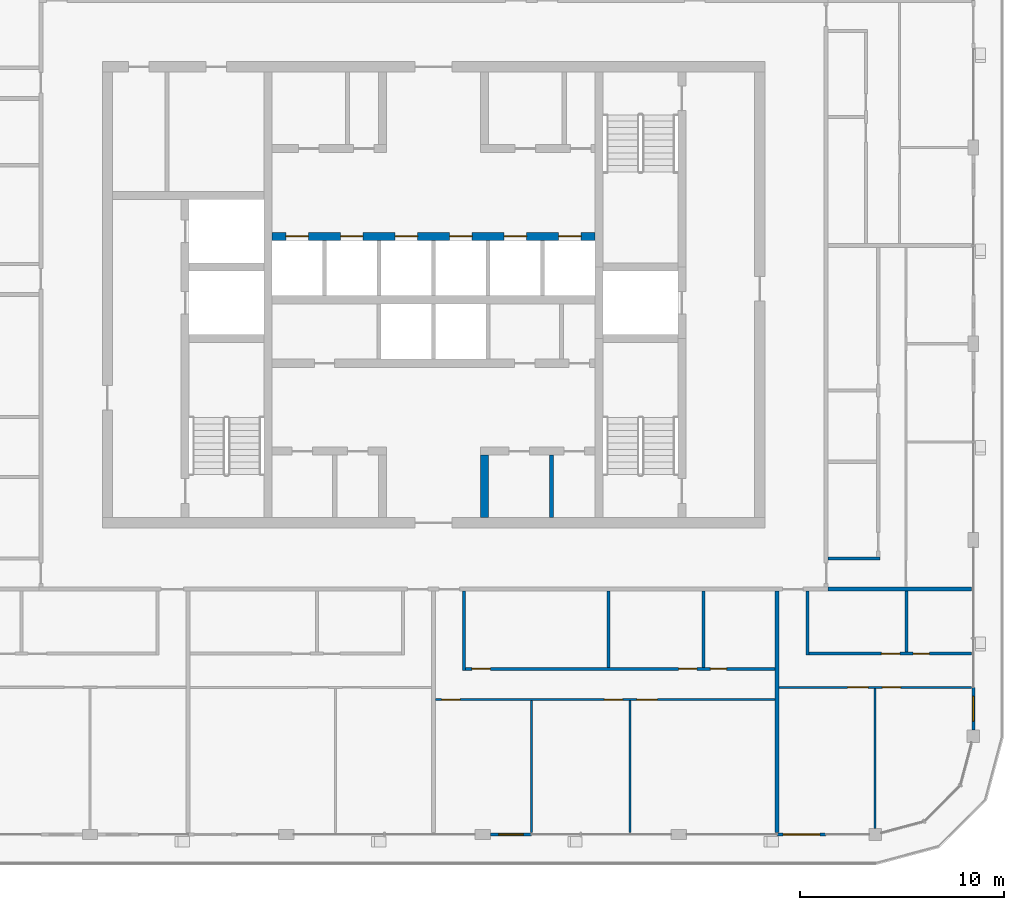
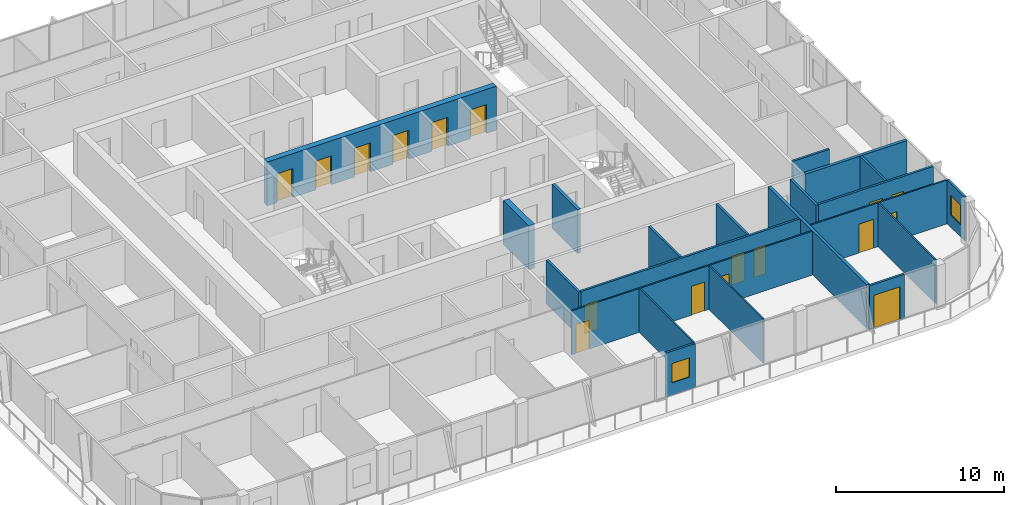
# One storey, part 11 of 21: 21 walls, 17 doors, 2 windows, 19 openings.
"""IFC4 building model written with IfcOpenShell, lengths in metres."""

from ifc_helpers import new_model, si_unit, direction, frame, frame_2d, origin, place, context, subcontext, project, spatial, rectangle, extrude, material, layer, layer_set, type_object, element, fill, save


model = new_model("IFC4")

# Units and contexts
model_context = context("Model", 3, precision=1e-05, world=origin(), true_north=direction((0.0, 1.0)))
body_context = subcontext(model_context, "Body", "Model", "MODEL_VIEW")
ifc_project = project(units=[si_unit("LENGTHUNIT", "METRE"), si_unit("AREAUNIT", "SQUARE_METRE"), si_unit("VOLUMEUNIT", "CUBIC_METRE"), si_unit("PLANEANGLEUNIT", "RADIAN"), si_unit("MASSUNIT", "GRAM", prefix="KILO")], contexts=[model_context])

# Site, building, storey
site_placement = place(None, origin())
site = spatial("IfcSite", under=ifc_project, at=site_placement, CompositionType="ELEMENT")
building_placement = place(site_placement, origin())
building = spatial("IfcBuilding", under=site, at=building_placement, Name="Madar Terraces", CompositionType="ELEMENT")
storey_placement = place(building_placement, frame((0.0, 0.0, 272.10009765625)))
storey = spatial("IfcBuildingStorey", under=building, at=storey_placement, Name="L71", CompositionType="ELEMENT", Elevation=272.10009765625)

# Wall, openings, doors
ifc_material_1 = material(Name="Concrete C50/60", Category="concrete")
ifc_layer_1 = layer(ifc_material_1, 0.39990234375)
ifc_layer_set_1 = layer_set([ifc_layer_1], Name="Concrete C50/60 (CIW6 RC wall 400)")
wall_type_1 = type_object("IfcWallType", Name="CIW6 RC wall 400", PredefinedType="SHEAR", material=ifc_layer_set_1)
wall_1_placement = place(storey_placement, frame((23.300048828125, 29.25, 0.0), z_axis=(0.0, 0.0, 1.0), x_axis=(1.0, 0.0, 0.0)))
wall_1 = element("IfcWall", 1, at=wall_1_placement, inside=storey, type_object=wall_type_1, Name="CORE SHAFT WALL", PredefinedType="SHEAR", context=body_context, shape_type="SweptSolid", body=[
    extrude(rectangle(XDim=15.800048828125, YDim=0.39990234375, at=frame_2d((7.89990234375, 0.0))), origin(), (0.0, 0.0, 1.0), 3.199951171875),
])
opening_1_placement = place(wall_1_placement, frame((0.683349609375, 0.0, 0.0)))
opening_1 = element("IfcOpeningElement", 2, at=opening_1_placement, cuts=wall_1, Name="Opening LD", PredefinedType="OPENING", context=body_context, shape_type="SweptSolid", body=[
    extrude(rectangle(XDim=1.10009765625, YDim=2.10009765625, at=frame_2d((0.550048828125, 1.050048828125))), frame((0.0, 0.2099609375, 0.0), z_axis=(0.0, -1.0, 0.0), x_axis=(1.0, 0.0, 0.0)), (0.0, 0.0, 1.0), 0.419921875),
])
opening_2_placement = place(wall_1_placement, frame((3.35009765625, 0.0, 0.0)))
opening_2 = element("IfcOpeningElement", 3, at=opening_2_placement, cuts=wall_1, Name="Opening LD", PredefinedType="OPENING", context=body_context, shape_type="SweptSolid", body=[
    extrude(rectangle(XDim=1.10009765625, YDim=2.10009765625, at=frame_2d((0.550048828125, 1.050048828125))), frame((0.0, 0.2099609375, 0.0), z_axis=(0.0, -1.0, 0.0), x_axis=(1.0, 0.0, 0.0)), (0.0, 0.0, 1.0), 0.419921875),
])
opening_3_placement = place(wall_1_placement, frame((6.0166015625, 0.0, 0.0)))
opening_3 = element("IfcOpeningElement", 4, at=opening_3_placement, cuts=wall_1, Name="Opening LD", PredefinedType="OPENING", context=body_context, shape_type="SweptSolid", body=[
    extrude(rectangle(XDim=1.10009765625, YDim=2.10009765625, at=frame_2d((0.550048828125, 1.050048828125))), frame((0.0, 0.2099609375, 0.0), z_axis=(0.0, -1.0, 0.0), x_axis=(1.0, 0.0, 0.0)), (0.0, 0.0, 1.0), 0.419921875),
])
opening_4_placement = place(wall_1_placement, frame((8.683349609375, 0.0, 0.0)))
opening_4 = element("IfcOpeningElement", 5, at=opening_4_placement, cuts=wall_1, Name="Opening LD", PredefinedType="OPENING", context=body_context, shape_type="SweptSolid", body=[
    extrude(rectangle(XDim=1.10009765625, YDim=2.10009765625, at=frame_2d((0.550048828125, 1.050048828125))), frame((0.0, 0.2099609375, 0.0), z_axis=(0.0, -1.0, 0.0), x_axis=(1.0, 0.0, 0.0)), (0.0, 0.0, 1.0), 0.419921875),
])
opening_5_placement = place(wall_1_placement, frame((11.35009765625, 0.0, 0.0)))
opening_5 = element("IfcOpeningElement", 6, at=opening_5_placement, cuts=wall_1, Name="Opening LD", PredefinedType="OPENING", context=body_context, shape_type="SweptSolid", body=[
    extrude(rectangle(XDim=1.10009765625, YDim=2.10009765625, at=frame_2d((0.550048828125, 1.050048828125))), frame((0.0, 0.2099609375, 0.0), z_axis=(0.0, -1.0, 0.0), x_axis=(1.0, 0.0, 0.0)), (0.0, 0.0, 1.0), 0.419921875),
])
opening_6_placement = place(wall_1_placement, frame((14.0166015625, 0.0, 0.0)))
opening_6 = element("IfcOpeningElement", 7, at=opening_6_placement, cuts=wall_1, Name="Opening LD", PredefinedType="OPENING", context=body_context, shape_type="SweptSolid", body=[
    extrude(rectangle(XDim=1.10009765625, YDim=2.10009765625, at=frame_2d((0.550048828125, 1.050048828125))), frame((0.0, 0.2099609375, 0.0), z_axis=(0.0, -1.0, 0.0), x_axis=(1.0, 0.0, 0.0)), (0.0, 0.0, 1.0), 0.419921875),
])
ifc_material_2 = material(Name="Stainless steel panel", Category="steel")
door_type_1 = type_object("IfcDoorType", Name="Lift landing door 1100 x 2100", OperationType="DOUBLE_DOOR_SLIDING", PredefinedType="DOOR", material=ifc_material_2)
door_1_placement = place(opening_1_placement, origin())
door_1 = element("IfcDoor", 8, at=door_1_placement, inside=storey, type_object=door_type_1, Name="LIFT LANDING DOOR", OperationType="DOUBLE_DOOR_SLIDING", OverallHeight=2.10009765625, OverallWidth=1.10009765625, PredefinedType="DOOR", context=body_context, shape_type="SweptSolid", body=[
    extrude(rectangle(XDim=1.10009765625, YDim=2.10009765625, at=frame_2d((0.550048828125, 1.050048828125))), frame((0.0, 0.02490234375, 0.0), z_axis=(0.0, -1.0, 0.0), x_axis=(1.0, 0.0, 0.0)), (0.0, 0.0, 1.0), 0.050048828125),
])
fill(opening_1, door_1)
door_2_placement = place(opening_2_placement, origin())
door_2 = element("IfcDoor", 9, at=door_2_placement, inside=storey, type_object=door_type_1, Name="LIFT LANDING DOOR", OperationType="DOUBLE_DOOR_SLIDING", OverallHeight=2.10009765625, OverallWidth=1.10009765625, PredefinedType="DOOR", context=body_context, shape_type="SweptSolid", body=[
    extrude(rectangle(XDim=1.10009765625, YDim=2.10009765625, at=frame_2d((0.550048828125, 1.050048828125))), frame((0.0, 0.02490234375, 0.0), z_axis=(0.0, -1.0, 0.0), x_axis=(1.0, 0.0, 0.0)), (0.0, 0.0, 1.0), 0.050048828125),
])
fill(opening_2, door_2)
door_3_placement = place(opening_3_placement, origin())
door_3 = element("IfcDoor", 10, at=door_3_placement, inside=storey, type_object=door_type_1, Name="LIFT LANDING DOOR", OperationType="DOUBLE_DOOR_SLIDING", OverallHeight=2.10009765625, OverallWidth=1.10009765625, PredefinedType="DOOR", context=body_context, shape_type="SweptSolid", body=[
    extrude(rectangle(XDim=1.10009765625, YDim=2.10009765625, at=frame_2d((0.550048828125, 1.050048828125))), frame((0.0, 0.02490234375, 0.0), z_axis=(0.0, -1.0, 0.0), x_axis=(1.0, 0.0, 0.0)), (0.0, 0.0, 1.0), 0.050048828125),
])
fill(opening_3, door_3)
door_4_placement = place(opening_4_placement, origin())
door_4 = element("IfcDoor", 11, at=door_4_placement, inside=storey, type_object=door_type_1, Name="LIFT LANDING DOOR", OperationType="DOUBLE_DOOR_SLIDING", OverallHeight=2.10009765625, OverallWidth=1.10009765625, PredefinedType="DOOR", context=body_context, shape_type="SweptSolid", body=[
    extrude(rectangle(XDim=1.10009765625, YDim=2.10009765625, at=frame_2d((0.550048828125, 1.050048828125))), frame((0.0, 0.02490234375, 0.0), z_axis=(0.0, -1.0, 0.0), x_axis=(1.0, 0.0, 0.0)), (0.0, 0.0, 1.0), 0.050048828125),
])
fill(opening_4, door_4)
door_5_placement = place(opening_5_placement, origin())
door_5 = element("IfcDoor", 12, at=door_5_placement, inside=storey, type_object=door_type_1, Name="LIFT LANDING DOOR", OperationType="DOUBLE_DOOR_SLIDING", OverallHeight=2.10009765625, OverallWidth=1.10009765625, PredefinedType="DOOR", context=body_context, shape_type="SweptSolid", body=[
    extrude(rectangle(XDim=1.10009765625, YDim=2.10009765625, at=frame_2d((0.550048828125, 1.050048828125))), frame((0.0, 0.02490234375, 0.0), z_axis=(0.0, -1.0, 0.0), x_axis=(1.0, 0.0, 0.0)), (0.0, 0.0, 1.0), 0.050048828125),
])
fill(opening_5, door_5)
door_6_placement = place(opening_6_placement, origin())
door_6 = element("IfcDoor", 13, at=door_6_placement, inside=storey, type_object=door_type_1, Name="LIFT LANDING DOOR", OperationType="DOUBLE_DOOR_SLIDING", OverallHeight=2.10009765625, OverallWidth=1.10009765625, PredefinedType="DOOR", context=body_context, shape_type="SweptSolid", body=[
    extrude(rectangle(XDim=1.10009765625, YDim=2.10009765625, at=frame_2d((0.550048828125, 1.050048828125))), frame((0.0, 0.02490234375, 0.0), z_axis=(0.0, -1.0, 0.0), x_axis=(1.0, 0.0, 0.0)), (0.0, 0.0, 1.0), 0.050048828125),
])
fill(opening_6, door_6)

# Walls
wall_2_placement = place(storey_placement, frame((33.699951171875, 15.5, 0.0), z_axis=(0.0, 0.0, 1.0), x_axis=(0.0, 1.0, 0.0)))
element("IfcWall", 14, at=wall_2_placement, inside=storey, type_object=wall_type_1, Name="CORE SHAFT WALL", PredefinedType="SHEAR", context=body_context, shape_type="SweptSolid", body=[
    extrude(rectangle(XDim=3.050048828125, YDim=0.39990234375, at=frame_2d((1.52490234375, 0.0))), origin(), (0.0, 0.0, 1.0), 3.199951171875),
])
ifc_material_3 = material(Name="Masonry blockwork", Category="masonry")
ifc_layer_2 = layer(ifc_material_3, 0.199951171875)
ifc_layer_set_2 = layer_set([ifc_layer_2], Name="Core partition 200 blockwork")
wall_type_2 = type_object("IfcWallType", Name="Core partition 200 blockwork", PredefinedType="PARTITIONING", material=ifc_layer_set_2)
wall_3_placement = place(storey_placement, frame((36.968017578125, 15.5, 0.0), z_axis=(0.0, 0.0, 1.0), x_axis=(0.0, 1.0, 0.0)))
element("IfcWall", 15, at=wall_3_placement, inside=storey, type_object=wall_type_2, Name="SERVICE ROOM PARTITION", PredefinedType="PARTITIONING", context=body_context, shape_type="SweptSolid", body=[
    extrude(rectangle(XDim=3.050048828125, YDim=0.199951171875, at=frame_2d((1.52490234375, 0.0))), origin(), (0.0, 0.0, 1.0), 3.199951171875),
])

# Wall, opening, window
ifc_material_4 = material(Name="Aluminium composite panel, black, over insulated backing", Category="aluminium")
ifc_layer_3 = layer(ifc_material_4, 0.14990234375)
ifc_layer_set_3 = layer_set([ifc_layer_3], Name="Facade bay panel 150")
wall_type_3 = type_object("IfcWallType", Name="Facade bay panel 150", PredefinedType="SOLIDWALL", material=ifc_layer_set_3)
wall_4_placement = place(storey_placement, frame((33.97509765625, 0.0, 0.0), z_axis=(0.0, 0.0, 1.0), x_axis=(1.0, 0.0, 0.0)))
wall_4 = element("IfcWall", 16, at=wall_4_placement, inside=storey, type_object=wall_type_3, Name="Facade bay panel", PredefinedType="SOLIDWALL", context=body_context, shape_type="SweptSolid", body=[
    extrude(rectangle(XDim=2.02490234375, YDim=0.14990234375, at=frame_2d((1.012451171875, 0.0))), origin(), (0.0, 0.0, 1.0), 3.199951171875),
])
opening_7_placement = place(wall_4_placement, frame((0.41259765625, 0.0, 0.89990234375)))
opening_7 = element("IfcOpeningElement", 17, at=opening_7_placement, cuts=wall_4, Name="Opening W1", PredefinedType="OPENING", context=body_context, shape_type="SweptSolid", body=[
    extrude(rectangle(XDim=1.199951171875, YDim=1.39990234375, at=frame_2d((0.60009765625, 0.699951171875))), frame((0.0, 0.0849609375, 0.0), z_axis=(0.0, -1.0, 0.0), x_axis=(1.0, 0.0, 0.0)), (0.0, 0.0, 1.0), 0.169921875),
])
ifc_material_5 = material(Name="Glass, clear, with black aluminium frame", Category="aluminium")
window_type = type_object("IfcWindowType", Name="Vent window 1200 x 1400", PartitioningType="SINGLE_PANEL", PredefinedType="WINDOW", material=ifc_material_5)
window_1_placement = place(opening_7_placement, origin())
window_1 = element("IfcWindow", 18, at=window_1_placement, inside=storey, type_object=window_type, Name="Operable vent window", OverallHeight=1.39990234375, OverallWidth=1.199951171875, PartitioningType="SINGLE_PANEL", PredefinedType="WINDOW", context=body_context, shape_type="SweptSolid", body=[
    extrude(rectangle(XDim=1.199951171875, YDim=1.39990234375, at=frame_2d((0.60009765625, 0.699951171875))), frame((0.0, 0.030029296875, 0.0), z_axis=(0.0, -1.0, 0.0), x_axis=(1.0, 0.0, 0.0)), (0.0, 0.0, 1.0), 0.06005859375),
])
fill(opening_7, window_1)

# Wall, opening, door
wall_5_placement = place(storey_placement, frame((48.0, 0.0, 0.0), z_axis=(0.0, 0.0, 1.0), x_axis=(1.0, 0.0, 0.0)))
wall_5 = element("IfcWall", 19, at=wall_5_placement, inside=storey, type_object=wall_type_3, Name="Facade bay panel", PredefinedType="SOLIDWALL", context=body_context, shape_type="SweptSolid", body=[
    extrude(rectangle(XDim=2.39990234375, YDim=0.14990234375, at=frame_2d((1.199951171875, 0.0))), origin(), (0.0, 0.0, 1.0), 3.199951171875),
])
opening_8_placement = place(wall_5_placement, frame((0.300048828125, 0.0, 0.0)))
opening_8 = element("IfcOpeningElement", 20, at=opening_8_placement, cuts=wall_5, Name="Opening ED1", PredefinedType="OPENING", context=body_context, shape_type="SweptSolid", body=[
    extrude(rectangle(XDim=1.800048828125, YDim=2.39990234375, at=frame_2d((0.89990234375, 1.199951171875))), frame((0.0, 0.0849609375, 0.0), z_axis=(0.0, -1.0, 0.0), x_axis=(1.0, 0.0, 0.0)), (0.0, 0.0, 1.0), 0.169921875),
])
ifc_material_6 = material(Name="Glass, clear, with black aluminium frame", Category="aluminium")
door_type_2 = type_object("IfcDoorType", Name="Balcony and terrace sliding door 1800 x 2400", OperationType="SLIDING_TO_LEFT", PredefinedType="DOOR", material=ifc_material_6)
door_7_placement = place(opening_8_placement, origin())
door_7 = element("IfcDoor", 21, at=door_7_placement, inside=storey, type_object=door_type_2, Name="Balcony door", OperationType="SLIDING_TO_RIGHT", OverallHeight=2.39990234375, OverallWidth=1.800048828125, PredefinedType="DOOR", context=body_context, shape_type="SweptSolid", body=[
    extrude(rectangle(XDim=1.800048828125, YDim=2.39990234375, at=frame_2d((0.89990234375, 1.199951171875))), frame((0.0, 0.02490234375, 0.0), z_axis=(0.0, -1.0, 0.0), x_axis=(1.0, 0.0, 0.0)), (0.0, 0.0, 1.0), 0.050048828125),
])
fill(opening_8, door_7)

# Wall, opening, window
wall_6_placement = place(storey_placement, frame((57.60009765625, 5.10009765625, 0.0), z_axis=(0.0, 0.0, 1.0), x_axis=(0.0, 1.0, 0.0)))
wall_6 = element("IfcWall", 22, at=wall_6_placement, inside=storey, type_object=wall_type_3, Name="Facade bay panel", PredefinedType="SOLIDWALL", context=body_context, shape_type="SweptSolid", body=[
    extrude(rectangle(XDim=2.099853515625, YDim=0.14990234375, at=frame_2d((1.0498046875, 0.0))), origin(), (0.0, 0.0, 1.0), 3.199951171875),
])
opening_9_placement = place(wall_6_placement, frame((0.449951171875, 0.0, 0.89990234375)))
opening_9 = element("IfcOpeningElement", 23, at=opening_9_placement, cuts=wall_6, Name="Opening W1", PredefinedType="OPENING", context=body_context, shape_type="SweptSolid", body=[
    extrude(rectangle(XDim=1.199951171875, YDim=1.39990234375, at=frame_2d((0.60009765625, 0.699951171875))), frame((0.0, 0.0849609375, 0.0), z_axis=(0.0, -1.0, 0.0), x_axis=(1.0, 0.0, 0.0)), (0.0, 0.0, 1.0), 0.169921875),
])
window_2_placement = place(opening_9_placement, origin())
window_2 = element("IfcWindow", 24, at=window_2_placement, inside=storey, type_object=window_type, Name="Operable vent window", OverallHeight=1.39990234375, OverallWidth=1.199951171875, PartitioningType="SINGLE_PANEL", PredefinedType="WINDOW", context=body_context, shape_type="SweptSolid", body=[
    extrude(rectangle(XDim=1.199951171875, YDim=1.39990234375, at=frame_2d((0.60009765625, 0.699951171875))), frame((0.0, 0.030029296875, 0.0), z_axis=(0.0, -1.0, 0.0), x_axis=(1.0, 0.0, 0.0)), (0.0, 0.0, 1.0), 0.06005859375),
])
fill(opening_9, window_2)

# Walls
ifc_material_7 = material(Name="Gypsum board on steel studs", Category="steel")
ifc_layer_4 = layer(ifc_material_7, 0.10009765625)
ifc_layer_set_4 = layer_set([ifc_layer_4], Name="Flat partition 100")
wall_type_4 = type_object("IfcWallType", Name="Flat partition 100", PredefinedType="PARTITIONING", material=ifc_layer_set_4)
for number, where, z_axis, x_axis, name in (
    (25, (36.0, 6.550048828125, 0.0), (0.0, 0.0, 1.0), (0.0, -1.0, 0.0), "Flat partition 100"),
    (26, (40.800048828125, 6.550048828125, 0.0), (0.0, 0.0, 1.0), (0.0, -1.0, 0.0), "Flat partition 100"),
):
    element("IfcWall", number, at=place(storey_placement, frame(where, z_axis=z_axis, x_axis=x_axis)), inside=storey, type_object=wall_type_4, Name=name, PredefinedType="PARTITIONING", context=body_context, shape_type="SweptSolid", body=[
        extrude(rectangle(XDim=6.449951171875, YDim=0.10009765625, at=frame_2d((3.22509765625, 0.0))), origin(), (0.0, 0.0, 1.0), 3.199951171875),
    ])

# Wall, openings, doors
wall_7_placement = place(storey_placement, frame((47.89990234375, 6.60009765625, 0.0), z_axis=(0.0, 0.0, 1.0), x_axis=(-1.0, 0.0, 0.0)))
wall_7 = element("IfcWall", 27, at=wall_7_placement, inside=storey, type_object=wall_type_4, Name="Flat partition 100", PredefinedType="PARTITIONING", context=body_context, shape_type="SweptSolid", body=[
    extrude(rectangle(XDim=16.599853515625, YDim=0.10009765625, at=frame_2d((8.2998046875, 0.0))), origin(), (0.0, 0.0, 1.0), 3.199951171875),
])
opening_10_placement = place(wall_7_placement, frame((15.39990234375, 0.0, 0.0)))
opening_10 = element("IfcOpeningElement", 28, at=opening_10_placement, cuts=wall_7, Name="Opening D2", PredefinedType="OPENING", context=body_context, shape_type="SweptSolid", body=[
    extrude(rectangle(XDim=0.89990234375, YDim=2.10009765625, at=frame_2d((0.449951171875, 1.050048828125))), frame((0.0, 0.06005859375, 0.0), z_axis=(0.0, -1.0, 0.0), x_axis=(1.0, 0.0, 0.0)), (0.0, 0.0, 1.0), 0.1201171875),
])
opening_11_placement = place(wall_7_placement, frame((7.449951171875, 0.0, 0.0)))
opening_11 = element("IfcOpeningElement", 29, at=opening_11_placement, cuts=wall_7, Name="Opening D2", PredefinedType="OPENING", context=body_context, shape_type="SweptSolid", body=[
    extrude(rectangle(XDim=0.89990234375, YDim=2.10009765625, at=frame_2d((0.449951171875, 1.050048828125))), frame((0.0, 0.06005859375, 0.0), z_axis=(0.0, -1.0, 0.0), x_axis=(1.0, 0.0, 0.0)), (0.0, 0.0, 1.0), 0.1201171875),
])
opening_12_placement = place(wall_7_placement, frame((5.75, 0.0, 0.0)))
opening_12 = element("IfcOpeningElement", 30, at=opening_12_placement, cuts=wall_7, Name="Opening D3", PredefinedType="OPENING", context=body_context, shape_type="SweptSolid", body=[
    extrude(rectangle(XDim=1.0, YDim=2.10009765625, at=frame_2d((0.5, 1.050048828125))), frame((0.0, 0.06005859375, 0.0), z_axis=(0.0, -1.0, 0.0), x_axis=(1.0, 0.0, 0.0)), (0.0, 0.0, 1.0), 0.1201171875),
])
ifc_material_8 = material(Name="Timber door leaf", Category="wood")
door_type_3 = type_object("IfcDoorType", Name="Flat living room door 1000", OperationType="NOTDEFINED", PredefinedType="DOOR", material=ifc_material_8)
door_8_placement = place(opening_12_placement, origin())
door_8 = element("IfcDoor", 31, at=door_8_placement, inside=storey, type_object=door_type_3, Name="Flat living room door 1000", OperationType="SINGLE_SWING_RIGHT", OverallHeight=2.10009765625, OverallWidth=1.0, PredefinedType="DOOR", context=body_context, shape_type="SweptSolid", body=[
    extrude(rectangle(XDim=1.0, YDim=2.10009765625, at=frame_2d((0.5, 1.050048828125))), frame((0.0, 0.02490234375, 0.0), z_axis=(0.0, -1.0, 0.0), x_axis=(1.0, 0.0, 0.0)), (0.0, 0.0, 1.0), 0.050048828125),
])
fill(opening_12, door_8)
ifc_material_9 = material(Name="Timber door leaf", Category="wood")
door_type_4 = type_object("IfcDoorType", Name="Flat room door 900", OperationType="NOTDEFINED", PredefinedType="DOOR", material=ifc_material_9)
door_9_placement = place(opening_10_placement, origin())
door_9 = element("IfcDoor", 32, at=door_9_placement, inside=storey, type_object=door_type_4, Name="Flat room door 900", OperationType="SINGLE_SWING_RIGHT", OverallHeight=2.10009765625, OverallWidth=0.89990234375, PredefinedType="DOOR", context=body_context, shape_type="SweptSolid", body=[
    extrude(rectangle(XDim=0.89990234375, YDim=2.10009765625, at=frame_2d((0.449951171875, 1.050048828125))), frame((0.0, 0.02490234375, 0.0), z_axis=(0.0, -1.0, 0.0), x_axis=(1.0, 0.0, 0.0)), (0.0, 0.0, 1.0), 0.050048828125),
])
fill(opening_10, door_9)
door_10_placement = place(opening_11_placement, origin())
door_10 = element("IfcDoor", 33, at=door_10_placement, inside=storey, type_object=door_type_4, Name="Flat room door 900", OperationType="SINGLE_SWING_LEFT", OverallHeight=2.10009765625, OverallWidth=0.89990234375, PredefinedType="DOOR", context=body_context, shape_type="SweptSolid", body=[
    extrude(rectangle(XDim=0.89990234375, YDim=2.10009765625, at=frame_2d((0.449951171875, 1.050048828125))), frame((0.0, 0.02490234375, 0.0), z_axis=(0.0, -1.0, 0.0), x_axis=(1.0, 0.0, 0.0)), (0.0, 0.0, 1.0), 0.050048828125),
])
fill(opening_11, door_10)

# Wall
wall_8_placement = place(storey_placement, frame((52.800048828125, 7.14990234375, 0.0), z_axis=(0.0, 0.0, 1.0), x_axis=(0.0, -1.0, 0.0)))
element("IfcWall", 34, at=wall_8_placement, inside=storey, type_object=wall_type_4, Name="Flat partition 100", PredefinedType="PARTITIONING", context=body_context, shape_type="SweptSolid", body=[
    extrude(rectangle(XDim=6.849853515625, YDim=0.10009765625, at=frame_2d((3.4248046875, 0.0))), origin(), (0.0, 0.0, 1.0), 3.199951171875),
])

# Wall, openings, doors
wall_9_placement = place(storey_placement, frame((57.5, 7.199951171875, 0.0), z_axis=(0.0, 0.0, 1.0), x_axis=(-1.0, 0.0, 0.0)))
wall_9 = element("IfcWall", 35, at=wall_9_placement, inside=storey, type_object=wall_type_4, Name="Flat partition 100", PredefinedType="PARTITIONING", context=body_context, shape_type="SweptSolid", body=[
    extrude(rectangle(XDim=9.39990234375, YDim=0.10009765625, at=frame_2d((4.699951171875, 0.0))), origin(), (0.0, 0.0, 1.0), 3.199951171875),
])
opening_13_placement = place(wall_9_placement, frame((5.050048828125, 0.0, 0.0)))
opening_13 = element("IfcOpeningElement", 36, at=opening_13_placement, cuts=wall_9, Name="Opening D3", PredefinedType="OPENING", context=body_context, shape_type="SweptSolid", body=[
    extrude(rectangle(XDim=1.0, YDim=2.10009765625, at=frame_2d((0.5, 1.050048828125))), frame((0.0, 0.06005859375, 0.0), z_axis=(0.0, -1.0, 0.0), x_axis=(1.0, 0.0, 0.0)), (0.0, 0.0, 1.0), 0.1201171875),
])
opening_14_placement = place(wall_9_placement, frame((3.449951171875, 0.0, 0.0)))
opening_14 = element("IfcOpeningElement", 37, at=opening_14_placement, cuts=wall_9, Name="Opening D2", PredefinedType="OPENING", context=body_context, shape_type="SweptSolid", body=[
    extrude(rectangle(XDim=0.89990234375, YDim=2.10009765625, at=frame_2d((0.449951171875, 1.050048828125))), frame((0.0, 0.06005859375, 0.0), z_axis=(0.0, -1.0, 0.0), x_axis=(1.0, 0.0, 0.0)), (0.0, 0.0, 1.0), 0.1201171875),
])
door_11_placement = place(opening_13_placement, origin())
door_11 = element("IfcDoor", 38, at=door_11_placement, inside=storey, type_object=door_type_3, Name="Flat living room door 1000", OperationType="SINGLE_SWING_LEFT", OverallHeight=2.10009765625, OverallWidth=1.0, PredefinedType="DOOR", context=body_context, shape_type="SweptSolid", body=[
    extrude(rectangle(XDim=1.0, YDim=2.10009765625, at=frame_2d((0.5, 1.050048828125))), frame((0.0, 0.02490234375, 0.0), z_axis=(0.0, -1.0, 0.0), x_axis=(1.0, 0.0, 0.0)), (0.0, 0.0, 1.0), 0.050048828125),
])
fill(opening_13, door_11)
door_12_placement = place(opening_14_placement, origin())
door_12 = element("IfcDoor", 39, at=door_12_placement, inside=storey, type_object=door_type_4, Name="Flat room door 900", OperationType="SINGLE_SWING_RIGHT", OverallHeight=2.10009765625, OverallWidth=0.89990234375, PredefinedType="DOOR", context=body_context, shape_type="SweptSolid", body=[
    extrude(rectangle(XDim=0.89990234375, YDim=2.10009765625, at=frame_2d((0.449951171875, 1.050048828125))), frame((0.0, 0.02490234375, 0.0), z_axis=(0.0, -1.0, 0.0), x_axis=(1.0, 0.0, 0.0)), (0.0, 0.0, 1.0), 0.050048828125),
])
fill(opening_14, door_12)

# Walls
ifc_material_10 = material(Name="Lightweight blockwork", Category="masonry")
ifc_layer_5 = layer(ifc_material_10, 0.199951171875)
ifc_layer_set_5 = layer_set([ifc_layer_5], Name="Flat party and entrance wall 200")
wall_type_5 = type_object("IfcWallType", Name="Flat party and entrance wall 200", PredefinedType="PARTITIONING", material=ifc_layer_set_5)
wall_10_placement = place(storey_placement, frame((48.0, 11.89990234375, 0.0), z_axis=(0.0, 0.0, 1.0), x_axis=(0.0, -1.0, 0.0)))
element("IfcWall", 40, at=wall_10_placement, inside=storey, type_object=wall_type_5, Name="Flat party and entrance wall 200", PredefinedType="PARTITIONING", context=body_context, shape_type="SweptSolid", body=[
    extrude(rectangle(XDim=11.7998046875, YDim=0.199951171875, at=frame_2d((5.89990234375, 0.0))), origin(), (0.0, 0.0, 1.0), 3.199951171875),
])
wall_11_placement = place(storey_placement, frame((50.5, 12.0, 0.0), z_axis=(0.0, 0.0, 1.0), x_axis=(1.0, 0.0, 0.0)))
element("IfcWall", 41, at=wall_11_placement, inside=storey, type_object=wall_type_5, Name="Flat party and entrance wall 200", PredefinedType="PARTITIONING", context=body_context, shape_type="SweptSolid", body=[
    extrude(rectangle(XDim=7.0, YDim=0.199951171875, at=frame_2d((3.5, 0.0))), origin(), (0.0, 0.0, 1.0), 3.199951171875),
])
ifc_material_11 = material(Name="Lightweight blockwork", Category="masonry")
ifc_layer_6 = layer(ifc_material_11, 0.14990234375)
ifc_layer_set_6 = layer_set([ifc_layer_6], Name="Flat wet-room partition 150")
wall_type_6 = type_object("IfcWallType", Name="Flat wet-room partition 150", PredefinedType="PARTITIONING", material=ifc_layer_set_6)
for number, where, z_axis, x_axis, name in (
    (42, (39.755859375, 11.89990234375, 0.0), (0.0, 0.0, 1.0), (0.0, -1.0, 0.0), "Flat wet-room partition 150"),
    (43, (44.40966796875, 11.89990234375, 0.0), (0.0, 0.0, 1.0), (0.0, -1.0, 0.0), "Flat wet-room partition 150"),
):
    element("IfcWall", number, at=place(storey_placement, frame(where, z_axis=z_axis, x_axis=x_axis)), inside=storey, type_object=wall_type_6, Name=name, PredefinedType="PARTITIONING", context=body_context, shape_type="SweptSolid", body=[
        extrude(rectangle(XDim=3.724853515625, YDim=0.14990234375, at=frame_2d((1.8623046875, 0.0))), origin(), (0.0, 0.0, 1.0), 3.199951171875),
    ])
wall_12_placement = place(storey_placement, frame((32.699951171875, 11.89990234375, 0.0), z_axis=(0.0, 0.0, 1.0), x_axis=(0.0, -1.0, 0.0)))
element("IfcWall", 44, at=wall_12_placement, inside=storey, type_object=wall_type_6, Name="Flat wet-room partition 150", PredefinedType="PARTITIONING", context=body_context, shape_type="SweptSolid", body=[
    extrude(rectangle(XDim=3.875, YDim=0.14990234375, at=frame_2d((1.9375, 0.0))), origin(), (0.0, 0.0, 1.0), 3.199951171875),
])

# Wall, openings, doors
wall_13_placement = place(storey_placement, frame((32.77490234375, 8.10009765625, 0.0), z_axis=(0.0, 0.0, 1.0), x_axis=(1.0, 0.0, 0.0)))
wall_13 = element("IfcWall", 45, at=wall_13_placement, inside=storey, type_object=wall_type_6, Name="Flat wet-room partition 150", PredefinedType="PARTITIONING", context=body_context, shape_type="SweptSolid", body=[
    extrude(rectangle(XDim=15.125, YDim=0.14990234375, at=frame_2d((7.5625, 0.0))), origin(), (0.0, 0.0, 1.0), 3.199951171875),
])
opening_15_placement = place(wall_13_placement, frame((0.300048828125, 0.0, 0.0)))
opening_15 = element("IfcOpeningElement", 46, at=opening_15_placement, cuts=wall_13, Name="Opening D2", PredefinedType="OPENING", context=body_context, shape_type="SweptSolid", body=[
    extrude(rectangle(XDim=0.89990234375, YDim=2.10009765625, at=frame_2d((0.449951171875, 1.050048828125))), frame((0.0, 0.0849609375, 0.0), z_axis=(0.0, -1.0, 0.0), x_axis=(1.0, 0.0, 0.0)), (0.0, 0.0, 1.0), 0.169921875),
])
opening_16_placement = place(wall_13_placement, frame((10.40966796875, 0.0, 0.0)))
opening_16 = element("IfcOpeningElement", 47, at=opening_16_placement, cuts=wall_13, Name="Opening D5", PredefinedType="OPENING", context=body_context, shape_type="SweptSolid", body=[
    extrude(rectangle(XDim=0.89990234375, YDim=2.10009765625, at=frame_2d((0.449951171875, 1.050048828125))), frame((0.0, 0.0849609375, 0.0), z_axis=(0.0, -1.0, 0.0), x_axis=(1.0, 0.0, 0.0)), (0.0, 0.0, 1.0), 0.169921875),
])
opening_17_placement = place(wall_13_placement, frame((11.959716796875, 0.0, 0.0)))
opening_17 = element("IfcOpeningElement", 48, at=opening_17_placement, cuts=wall_13, Name="Opening D4", PredefinedType="OPENING", context=body_context, shape_type="SweptSolid", body=[
    extrude(rectangle(XDim=0.800048828125, YDim=2.10009765625, at=frame_2d((0.39990234375, 1.050048828125))), frame((0.0, 0.0849609375, 0.0), z_axis=(0.0, -1.0, 0.0), x_axis=(1.0, 0.0, 0.0)), (0.0, 0.0, 1.0), 0.169921875),
])
ifc_material_12 = material(Name="Timber door leaf", Category="wood")
door_type_5 = type_object("IfcDoorType", Name="Flat accessible bathroom door 900", OperationType="NOTDEFINED", PredefinedType="DOOR", material=ifc_material_12)
door_13_placement = place(opening_16_placement, origin())
door_13 = element("IfcDoor", 49, at=door_13_placement, inside=storey, type_object=door_type_5, Name="Flat accessible bathroom door 900", OperationType="SINGLE_SWING_RIGHT", OverallHeight=2.10009765625, OverallWidth=0.89990234375, PredefinedType="DOOR", context=body_context, shape_type="SweptSolid", body=[
    extrude(rectangle(XDim=0.89990234375, YDim=2.10009765625, at=frame_2d((0.449951171875, 1.050048828125))), frame((0.0, 0.02490234375, 0.0), z_axis=(0.0, -1.0, 0.0), x_axis=(1.0, 0.0, 0.0)), (0.0, 0.0, 1.0), 0.050048828125),
])
fill(opening_16, door_13)
ifc_material_13 = material(Name="Timber door leaf", Category="wood")
door_type_6 = type_object("IfcDoorType", Name="Flat bathroom door 800", OperationType="NOTDEFINED", PredefinedType="DOOR", material=ifc_material_13)
door_14_placement = place(opening_17_placement, origin())
door_14 = element("IfcDoor", 50, at=door_14_placement, inside=storey, type_object=door_type_6, Name="Flat bathroom door 800", OperationType="SINGLE_SWING_LEFT", OverallHeight=2.10009765625, OverallWidth=0.800048828125, PredefinedType="DOOR", context=body_context, shape_type="SweptSolid", body=[
    extrude(rectangle(XDim=0.800048828125, YDim=2.10009765625, at=frame_2d((0.39990234375, 1.050048828125))), frame((0.0, 0.02490234375, 0.0), z_axis=(0.0, -1.0, 0.0), x_axis=(1.0, 0.0, 0.0)), (0.0, 0.0, 1.0), 0.050048828125),
])
fill(opening_17, door_14)
door_15_placement = place(opening_15_placement, origin())
door_15 = element("IfcDoor", 51, at=door_15_placement, inside=storey, type_object=door_type_4, Name="Flat room door 900", OperationType="SINGLE_SWING_LEFT", OverallHeight=2.10009765625, OverallWidth=0.89990234375, PredefinedType="DOOR", context=body_context, shape_type="SweptSolid", body=[
    extrude(rectangle(XDim=0.89990234375, YDim=2.10009765625, at=frame_2d((0.449951171875, 1.050048828125))), frame((0.0, 0.02490234375, 0.0), z_axis=(0.0, -1.0, 0.0), x_axis=(1.0, 0.0, 0.0)), (0.0, 0.0, 1.0), 0.050048828125),
])
fill(opening_15, door_15)

# Walls
wall_14_placement = place(storey_placement, frame((54.330078125, 11.89990234375, 0.0), z_axis=(0.0, 0.0, 1.0), x_axis=(0.0, -1.0, 0.0)))
element("IfcWall", 52, at=wall_14_placement, inside=storey, type_object=wall_type_6, Name="Flat wet-room partition 150", PredefinedType="PARTITIONING", context=body_context, shape_type="SweptSolid", body=[
    extrude(rectangle(XDim=2.974853515625, YDim=0.14990234375, at=frame_2d((1.4873046875, 0.0))), origin(), (0.0, 0.0, 1.0), 3.199951171875),
])
wall_15_placement = place(storey_placement, frame((49.5, 11.89990234375, 0.0), z_axis=(0.0, 0.0, 1.0), x_axis=(0.0, -1.0, 0.0)))
element("IfcWall", 53, at=wall_15_placement, inside=storey, type_object=wall_type_6, Name="Flat wet-room partition 150", PredefinedType="PARTITIONING", context=body_context, shape_type="SweptSolid", body=[
    extrude(rectangle(XDim=3.125, YDim=0.14990234375, at=frame_2d((1.5625, 0.0))), origin(), (0.0, 0.0, 1.0), 3.199951171875),
])

# Wall, openings, doors
wall_16_placement = place(storey_placement, frame((49.574951171875, 8.85009765625, 0.0), z_axis=(0.0, 0.0, 1.0), x_axis=(1.0, 0.0, 0.0)))
wall_16 = element("IfcWall", 54, at=wall_16_placement, inside=storey, type_object=wall_type_6, Name="Flat wet-room partition 150", PredefinedType="PARTITIONING", context=body_context, shape_type="SweptSolid", body=[
    extrude(rectangle(XDim=7.925048828125, YDim=0.14990234375, at=frame_2d((3.96240234375, 0.0))), origin(), (0.0, 0.0, 1.0), 3.199951171875),
])
opening_18_placement = place(wall_16_placement, frame((3.530029296875, 0.0, 0.0)))
opening_18 = element("IfcOpeningElement", 55, at=opening_18_placement, cuts=wall_16, Name="Opening D2", PredefinedType="OPENING", context=body_context, shape_type="SweptSolid", body=[
    extrude(rectangle(XDim=0.89990234375, YDim=2.10009765625, at=frame_2d((0.449951171875, 1.050048828125))), frame((0.0, 0.0849609375, 0.0), z_axis=(0.0, -1.0, 0.0), x_axis=(1.0, 0.0, 0.0)), (0.0, 0.0, 1.0), 0.169921875),
])
opening_19_placement = place(wall_16_placement, frame((5.080078125, 0.0, 0.0)))
opening_19 = element("IfcOpeningElement", 56, at=opening_19_placement, cuts=wall_16, Name="Opening D4", PredefinedType="OPENING", context=body_context, shape_type="SweptSolid", body=[
    extrude(rectangle(XDim=0.800048828125, YDim=2.10009765625, at=frame_2d((0.39990234375, 1.050048828125))), frame((0.0, 0.0849609375, 0.0), z_axis=(0.0, -1.0, 0.0), x_axis=(1.0, 0.0, 0.0)), (0.0, 0.0, 1.0), 0.169921875),
])
door_16_placement = place(opening_19_placement, origin())
door_16 = element("IfcDoor", 57, at=door_16_placement, inside=storey, type_object=door_type_6, Name="Flat bathroom door 800", OperationType="SINGLE_SWING_LEFT", OverallHeight=2.10009765625, OverallWidth=0.800048828125, PredefinedType="DOOR", context=body_context, shape_type="SweptSolid", body=[
    extrude(rectangle(XDim=0.800048828125, YDim=2.10009765625, at=frame_2d((0.39990234375, 1.050048828125))), frame((0.0, 0.02490234375, 0.0), z_axis=(0.0, -1.0, 0.0), x_axis=(1.0, 0.0, 0.0)), (0.0, 0.0, 1.0), 0.050048828125),
])
fill(opening_19, door_16)
door_17_placement = place(opening_18_placement, origin())
door_17 = element("IfcDoor", 58, at=door_17_placement, inside=storey, type_object=door_type_4, Name="Flat room door 900", OperationType="SINGLE_SWING_RIGHT", OverallHeight=2.10009765625, OverallWidth=0.89990234375, PredefinedType="DOOR", context=body_context, shape_type="SweptSolid", body=[
    extrude(rectangle(XDim=0.89990234375, YDim=2.10009765625, at=frame_2d((0.449951171875, 1.050048828125))), frame((0.0, 0.02490234375, 0.0), z_axis=(0.0, -1.0, 0.0), x_axis=(1.0, 0.0, 0.0)), (0.0, 0.0, 1.0), 0.050048828125),
])
fill(opening_18, door_17)

# Wall
wall_17_placement = place(storey_placement, frame((50.5, 13.5, 0.0), z_axis=(0.0, 0.0, 1.0), x_axis=(1.0, 0.0, 0.0)))
element("IfcWall", 59, at=wall_17_placement, inside=storey, type_object=wall_type_6, Name="Flat wet-room partition 150", PredefinedType="PARTITIONING", context=body_context, shape_type="SweptSolid", body=[
    extrude(rectangle(XDim=2.52490234375, YDim=0.14990234375, at=frame_2d((1.262451171875, 0.0))), origin(), (0.0, 0.0, 1.0), 3.199951171875),
])

save(model, "model.ifc")
